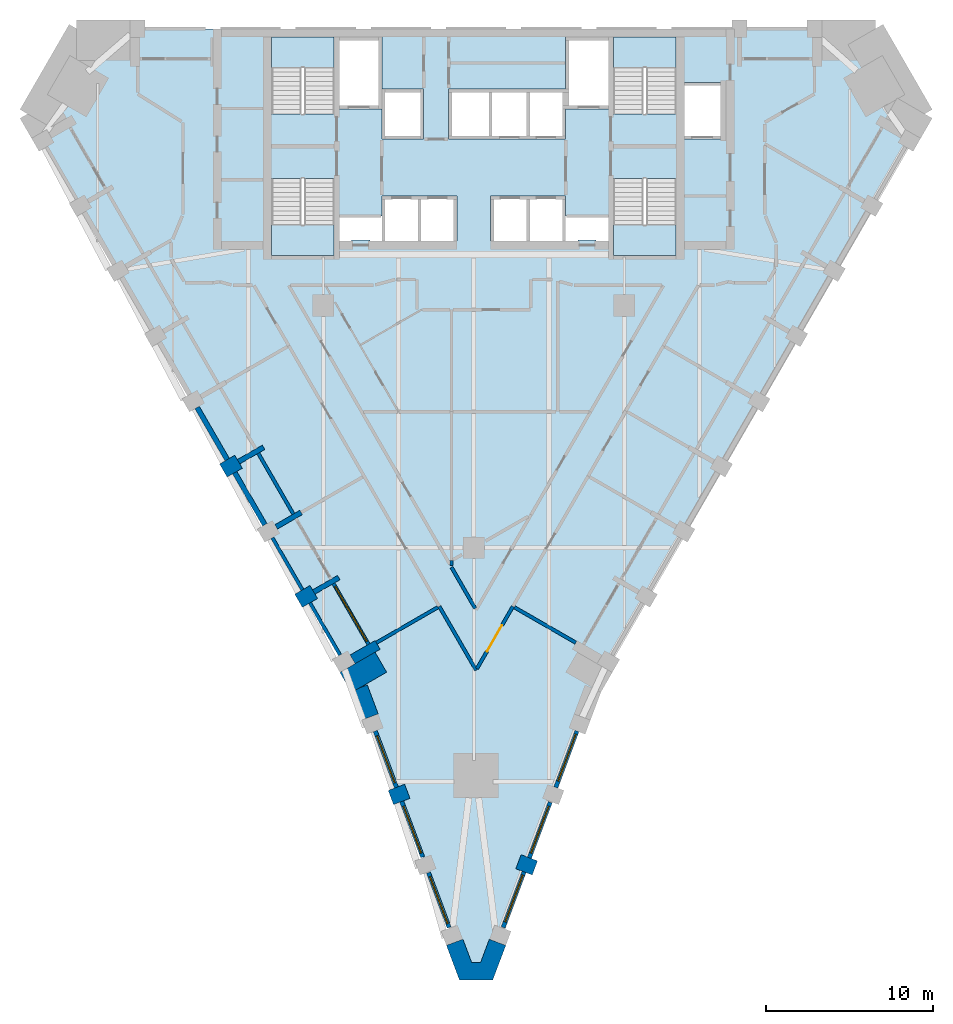
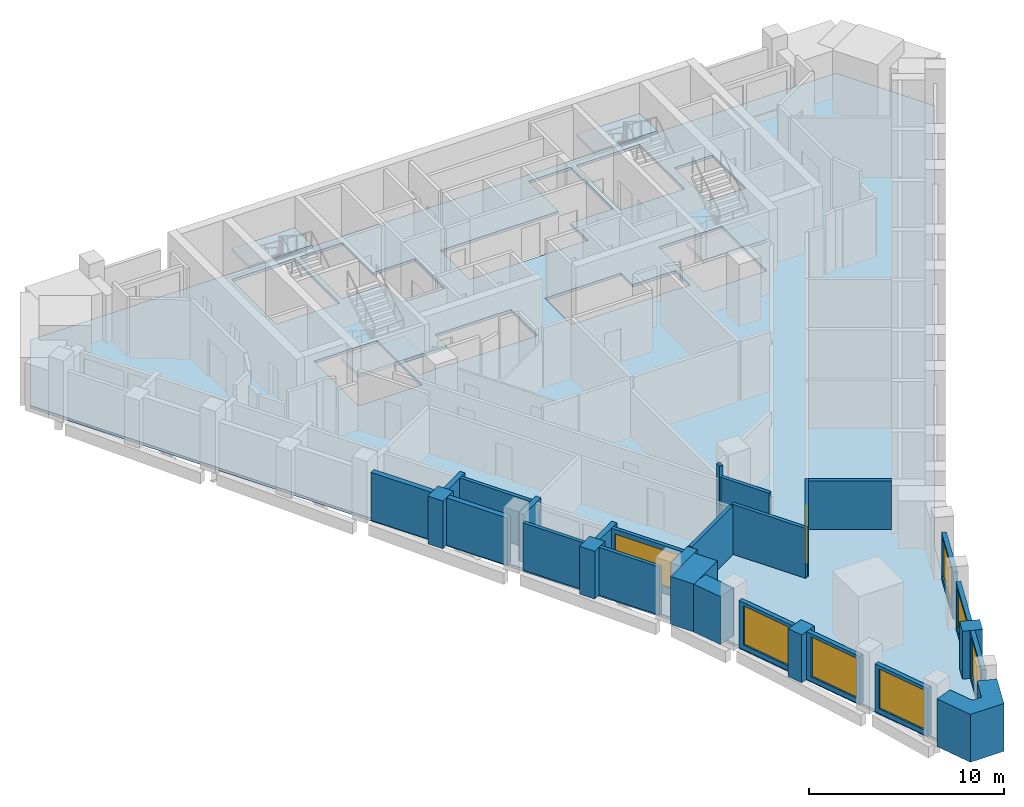
# One storey, part 2 of 9: 29 walls, 7 windows, 5 slabs, 1 door, 8 openings, 4 elements without a shape of their own.
"""IFC4 building model written with IfcOpenShell, lengths in metres."""

from ifc_helpers import new_model, si_unit, direction, frame, frame_2d, origin, place, context, subcontext, project, spatial, polyline, rectangle, outline, extrude, material, layer, layer_set, type_object, element, fill, aggregate, save


model = new_model("IFC4")

# Units and contexts
model_context = context("Model", 3, precision=1e-05, world=origin(), true_north=direction((0.0, 1.0)))
body_context = subcontext(model_context, "Body", "Model", "MODEL_VIEW")
ifc_project = project(units=[si_unit("LENGTHUNIT", "METRE"), si_unit("AREAUNIT", "SQUARE_METRE"), si_unit("VOLUMEUNIT", "CUBIC_METRE"), si_unit("PLANEANGLEUNIT", "RADIAN"), si_unit("MASSUNIT", "GRAM", prefix="KILO")], contexts=[model_context])

# Site, building, storey
site_placement = place(None, origin())
site = spatial("IfcSite", under=ifc_project, at=site_placement, CompositionType="ELEMENT")
building_placement = place(site_placement, origin())
building = spatial("IfcBuilding", under=site, at=building_placement, Name="Calabash Gate Tower", CompositionType="ELEMENT")
storey_placement = place(building_placement, frame((0.0, 0.0, 156.300048828125)))
storey = spatial("IfcBuildingStorey", under=building, at=storey_placement, Name="L36", CompositionType="ELEMENT", Elevation=156.300048828125)

# Slab
ifc_material_1 = material(Name="Concrete C40/50", Category="concrete")
ifc_layer_1 = layer(ifc_material_1, 0.169921875)
ifc_layer_set_1 = layer_set([ifc_layer_1], Name="Composite floor slab 170 Concrete C40/50")
slab_type_1 = type_object("IfcSlabType", Name="Composite floor slab 170 Concrete C40/50", PredefinedType="FLOOR", material=ifc_layer_set_1)
slab_1_placement = place(storey_placement, frame((0.0, 0.0, -0.170166015625)))
element("IfcSlab", 1, at=slab_1_placement, inside=storey, type_object=slab_type_1, Name="Floor slab L36", PredefinedType="FLOOR", context=body_context, shape_type="SweptSolid", body=[
    extrude(outline(polyline([(-23.755615234375, 19.052490234375), (24.030517578125, 19.052490234375), (26.970947265625, 13.95947265625), (7.137451171875, -20.393310546875), (0.770751953125, -37.33251953125), (-0.495849609375, -37.33251953125), (-6.862548828125, -20.393310546875), (-26.696044921875, 13.95947265625), (-23.755615234375, 19.052490234375)]), holes=[polyline([(-3.25, 9.052490234375), (-5.5, 9.052490234375), (-5.5, 7.8525390625), (-8.050048828125, 7.8525390625), (-8.050048828125, 6.3525390625), (-7.324951171875, 6.3525390625), (-7.324951171875, 6.402587890625), (-6.22509765625, 6.402587890625), (-6.22509765625, 6.3525390625), (-5.5, 6.3525390625), (-3.25, 6.3525390625), (-1.0, 6.3525390625), (-1.0, 9.052490234375), (-3.25, 9.052490234375)]), polyline([(5.5, 6.3525390625), (6.22509765625, 6.3525390625), (6.22509765625, 6.402587890625), (7.324951171875, 6.402587890625), (7.324951171875, 6.3525390625), (8.050048828125, 6.3525390625), (8.050048828125, 7.8525390625), (5.5, 7.8525390625), (5.5, 9.052490234375), (3.25, 9.052490234375), (1.0, 9.052490234375), (1.0, 6.3525390625), (3.25, 6.3525390625), (5.5, 6.3525390625)]), polyline([(-5.5, 12.45263671875), (-3.0, 12.45263671875), (-3.0, 15.45263671875), (-5.5, 15.45263671875), (-5.5, 18.552490234375), (-8.050048828125, 18.552490234375), (-8.050048828125, 14.252685546875), (-5.5, 14.252685546875), (-5.5, 12.45263671875)]), polyline([(-1.5, 15.45263671875), (-1.5, 12.45263671875), (1.0, 12.45263671875), (3.25, 12.45263671875), (5.5, 12.45263671875), (5.5, 14.252685546875), (8.050048828125, 14.252685546875), (8.050048828125, 18.552490234375), (5.5, 18.552490234375), (5.5, 15.45263671875), (3.25, 15.45263671875), (1.0, 15.45263671875), (-1.5, 15.45263671875)]), polyline([(14.85009765625, 15.8525390625), (12.60009765625, 15.8525390625), (12.60009765625, 12.45263671875), (14.85009765625, 12.45263671875), (14.85009765625, 15.8525390625)]), polyline([(-8.35009765625, 18.552490234375), (-12.10009765625, 18.552490234375), (-12.10009765625, 13.95263671875), (-8.35009765625, 13.95263671875), (-8.35009765625, 18.552490234375)]), polyline([(-12.10009765625, 10.1025390625), (-12.10009765625, 5.502685546875), (-8.35009765625, 5.502685546875), (-8.35009765625, 10.1025390625), (-12.10009765625, 10.1025390625)]), polyline([(8.35009765625, 13.95263671875), (12.10009765625, 13.95263671875), (12.10009765625, 18.552490234375), (8.35009765625, 18.552490234375), (8.35009765625, 13.95263671875)]), polyline([(12.10009765625, 5.502685546875), (12.10009765625, 10.1025390625), (8.35009765625, 10.1025390625), (8.35009765625, 5.502685546875), (12.10009765625, 5.502685546875)])]), origin(), (0.0, 0.0, 1.0), 0.170166015625),
])

# Stair, slab
ifc_material_2 = material(Name="Concrete C40/50", Category="concrete")
stair_type = type_object("IfcStairType", Name="Exit stair 22 risers of 177.3 mm", PredefinedType="HALF_TURN_STAIR", material=ifc_material_2)
stair_1_placement = place(storey_placement, origin())
stair_1 = element("IfcStair", 2, at=stair_1_placement, inside=storey, type_object=stair_type, Name="L36 Exit stair ST1", PredefinedType="HALF_TURN_STAIR")
ifc_material_3 = material(Name="Concrete C40/50", Category="concrete")
ifc_layer_2 = layer(ifc_material_3, 0.199951171875)
ifc_layer_set_2 = layer_set([ifc_layer_2], Name="Stair landing SL200")
slab_type_2 = type_object("IfcSlabType", Name="Stair landing SL200", PredefinedType="LANDING", material=ifc_layer_set_2)
slab_2_placement = place(storey_placement, frame((0.0, 0.0, 1.75)))
slab_2 = element("IfcSlab", 3, at=slab_2_placement, type_object=slab_type_2, Name="ST1 landing 1", PredefinedType="LANDING", context=body_context, shape_type="SweptSolid", body=[
    extrude(outline(polyline([(-8.35009765625, 16.74267578125), (-8.35009765625, 18.552490234375), (-12.10009765625, 18.552490234375), (-12.10009765625, 16.74267578125), (-8.35009765625, 16.74267578125)])), origin(), (0.0, 0.0, 1.0), 0.199951171875),
])
aggregate(stair_1, [slab_2])

stair_2_placement = place(storey_placement, origin())
stair_2 = element("IfcStair", 4, at=stair_2_placement, inside=storey, type_object=stair_type, Name="L36 Exit stair ST2", PredefinedType="HALF_TURN_STAIR")
slab_3_placement = place(storey_placement, frame((0.0, 0.0, 1.75)))
slab_3 = element("IfcSlab", 5, at=slab_3_placement, type_object=slab_type_2, Name="ST2 landing 1", PredefinedType="LANDING", context=body_context, shape_type="SweptSolid", body=[
    extrude(outline(polyline([(-12.10009765625, 7.3125), (-12.10009765625, 5.502685546875), (-8.35009765625, 5.502685546875), (-8.35009765625, 7.3125), (-12.10009765625, 7.3125)])), origin(), (0.0, 0.0, 1.0), 0.199951171875),
])
aggregate(stair_2, [slab_3])

stair_3_placement = place(storey_placement, origin())
stair_3 = element("IfcStair", 6, at=stair_3_placement, inside=storey, type_object=stair_type, Name="L36 Exit stair ST3", PredefinedType="HALF_TURN_STAIR")
slab_4_placement = place(storey_placement, frame((0.0, 0.0, 1.75)))
slab_4 = element("IfcSlab", 7, at=slab_4_placement, type_object=slab_type_2, Name="ST3 landing 1", PredefinedType="LANDING", context=body_context, shape_type="SweptSolid", body=[
    extrude(outline(polyline([(12.10009765625, 16.74267578125), (12.10009765625, 18.552490234375), (8.35009765625, 18.552490234375), (8.35009765625, 16.74267578125), (12.10009765625, 16.74267578125)])), origin(), (0.0, 0.0, 1.0), 0.199951171875),
])
aggregate(stair_3, [slab_4])

stair_4_placement = place(storey_placement, origin())
stair_4 = element("IfcStair", 8, at=stair_4_placement, inside=storey, type_object=stair_type, Name="L36 Exit stair ST4", PredefinedType="HALF_TURN_STAIR")
slab_5_placement = place(storey_placement, frame((0.0, 0.0, 1.75)))
slab_5 = element("IfcSlab", 9, at=slab_5_placement, type_object=slab_type_2, Name="ST4 landing 1", PredefinedType="LANDING", context=body_context, shape_type="SweptSolid", body=[
    extrude(outline(polyline([(8.35009765625, 7.3125), (8.35009765625, 5.502685546875), (12.10009765625, 5.502685546875), (12.10009765625, 7.3125), (8.35009765625, 7.3125)])), origin(), (0.0, 0.0, 1.0), 0.199951171875),
])
aggregate(stair_4, [slab_5])

# Walls
ifc_material_4 = material(Name="Terracotta brick masonry, exposed face", Category="masonry")
ifc_layer_3 = layer(ifc_material_4, 2.425048828125)
ifc_layer_set_3 = layer_set([ifc_layer_3], Name="Brick corner mass wall 2425")
wall_type_1 = type_object("IfcWallType", Name="Brick corner mass wall 2425", PredefinedType="SOLIDWALL", material=ifc_layer_set_3)
wall_1_placement = place(storey_placement, frame((-5.56298828125, -18.843994140625, 0.0), z_axis=(0.0, 0.0, 1.0), x_axis=(-0.865997808697, -0.500047793048, 0.0)))
element("IfcWall", 10, at=wall_1_placement, inside=storey, type_object=wall_type_1, Name="Brick corner pier S10 1", PredefinedType="SOLIDWALL", context=body_context, shape_type="SweptSolid", body=[
    extrude(rectangle(XDim=2.425048828125, YDim=1.383544921875, at=frame_2d((1.21240234375, 0.0))), origin(), (0.0, 0.0, 1.0), 3.0),
])
ifc_material_5 = material(Name="Terracotta brick masonry, exposed face", Category="masonry")
ifc_layer_4 = layer(ifc_material_5, 1.050048828125)
ifc_layer_set_4 = layer_set([ifc_layer_4], Name="Brick end wall 1050")
wall_type_2 = type_object("IfcWallType", Name="Brick end wall 1050", PredefinedType="SOLIDWALL", material=ifc_layer_set_4)
for number, where, z_axis, x_axis, name in (
    (11, (-14.98388671875, -7.37646484375, 0.0), (0.0, 0.0, 1.0), (0.866030680601, 0.499990860175, 0.0), "Brick pier S10 SW0.5"),
    (12, (-10.48388671875, -15.170654296875, 0.0), (0.0, 0.0, 1.0), (0.866030680601, 0.499990860175, 0.0), "Brick pier S10 SW0.7"),
):
    element("IfcWall", number, at=place(storey_placement, frame(where, z_axis=z_axis, x_axis=x_axis)), inside=storey, type_object=wall_type_2, Name=name, PredefinedType="SOLIDWALL", context=body_context, shape_type="SweptSolid", body=[
        extrude(rectangle(XDim=1.0498046875, YDim=0.89990234375, at=frame_2d((0.52490234375, 0.0))), origin(), (0.0, 0.0, 1.0), 3.0),
    ])
for number, where, z_axis, x_axis, name in (
    (13, (-3.979248046875, -26.572021484375, 0.0), (0.0, 0.0, 1.0), (-0.936080509118, -0.351785844584, 0.0), "Brick pier S10 wedge1.1"),
    (14, (3.654052734375, -31.15380859375, 0.0), (0.0, 0.0, 1.0), (-0.936080509118, 0.351785844584, 0.0), "Brick pier S10 wedge3.1"),
):
    element("IfcWall", number, at=place(storey_placement, frame(where, z_axis=z_axis, x_axis=x_axis)), inside=storey, type_object=wall_type_2, Name=name, PredefinedType="SOLIDWALL", context=body_context, shape_type="SweptSolid", body=[
        extrude(rectangle(XDim=1.050048828125, YDim=0.89990234375, at=frame_2d((0.52490234375, 0.0))), origin(), (0.0, 0.0, 1.0), 3.0),
    ])
wall_2_placement = place(storey_placement, origin())
element("IfcWall", 15, at=wall_2_placement, inside=storey, type_object=wall_type_2, Name="Brick end wall S10 1", PredefinedType="SOLIDWALL", context=body_context, shape_type="SweptSolid", body=[
    extrude(outline(polyline([(-5.720947265625, -21.938232421875), (-6.37109375, -20.20849609375), (-6.862548828125, -20.393310546875), (-7.317138671875, -20.65576171875), (-7.3388671875, -20.618408203125), (-6.70361328125, -22.307861328125), (-6.70361328125, -22.307861328125), (-6.703857421875, -22.307373046875), (-5.720947265625, -21.938232421875)])), origin(), (0.0, 0.0, 1.0), 3.0),
])
wall_3_placement = place(storey_placement, origin())
element("IfcWall", 16, at=wall_3_placement, inside=storey, type_object=wall_type_2, Name="Brick end wall S10 2", PredefinedType="SOLIDWALL", context=body_context, shape_type="SweptSolid", body=[
    extrude(outline(polyline([(-0.13232421875, -36.8076171875), (-0.654541015625, -35.41796875), (-1.637451171875, -35.787353515625), (-0.859375, -37.857666015625), (1.13427734375, -37.857666015625), (1.912353515625, -35.787353515625), (0.929443359375, -35.41796875), (0.4072265625, -36.8076171875), (-0.13232421875, -36.8076171875)])), origin(), (0.0, 0.0, 1.0), 3.0),
])
ifc_material_6 = material(Name="Terracotta brick masonry, exposed face", Category="masonry")
ifc_layer_5 = layer(ifc_material_6, 0.300048828125)
ifc_layer_set_5 = layer_set([ifc_layer_5], Name="Brick infill panel wall 300")
wall_type_3 = type_object("IfcWallType", Name="Brick infill panel wall 300", PredefinedType="SOLIDWALL", material=ifc_layer_set_5)
wall_4_placement = place(storey_placement, frame((-16.55419921875, -3.6064453125, 0.0), z_axis=(0.0, 0.0, 1.0), x_axis=(0.499931829785, -0.866064758299, 0.0)))
element("IfcWall", 17, at=wall_4_placement, inside=storey, type_object=wall_type_3, Name="Brick panel S10 SW0.5", PredefinedType="SOLIDWALL", context=body_context, shape_type="SweptSolid", body=[
    extrude(rectangle(XDim=3.60009765625, YDim=0.300048828125, at=frame_2d((1.800048828125, 0.0))), origin(), (0.0, 0.0, 1.0), 3.0),
])
wall_5_placement = place(storey_placement, frame((-14.30419921875, -7.503662109375, 0.0), z_axis=(0.0, 0.0, 1.0), x_axis=(0.499961193289, -0.866047807691, 0.0)))
element("IfcWall", 18, at=wall_5_placement, inside=storey, type_object=wall_type_3, Name="Brick panel S10 SW0.6", PredefinedType="SOLIDWALL", context=body_context, shape_type="SweptSolid", body=[
    extrude(rectangle(XDim=3.599853515625, YDim=0.300048828125, at=frame_2d((1.7998046875, 0.0))), origin(), (0.0, 0.0, 1.0), 2.973388671875),
])
ifc_material_7 = material(Name="Terracotta brick masonry, exposed face", Category="masonry")
ifc_layer_6 = layer(ifc_material_7, 0.300048828125)
ifc_layer_set_6 = layer_set([ifc_layer_6], Name="Brick loggia cheek wall 300")
wall_type_4 = type_object("IfcWallType", Name="Brick loggia cheek wall 300", PredefinedType="SOLIDWALL", material=ifc_layer_set_6)
wall_6_placement = place(storey_placement, frame((-14.07470703125, -6.8515625, 0.0), z_axis=(0.0, 0.0, 1.0), x_axis=(0.866013532718, 0.500020560727, 0.0)))
element("IfcWall", 19, at=wall_6_placement, inside=storey, type_object=wall_type_4, Name="Loggia cheek S10 SW0.5", PredefinedType="SOLIDWALL", context=body_context, shape_type="SweptSolid", body=[
    extrude(rectangle(XDim=1.72509765625, YDim=0.300048828125, at=frame_2d((0.862548828125, 0.0))), origin(), (0.0, 0.0, 1.0), 2.973388671875),
])
wall_7_placement = place(storey_placement, frame((-10.330810546875, -9.885986328125, 0.0), z_axis=(0.0, 0.0, 1.0), x_axis=(-0.86597814115, -0.500081852351, 0.0)))
element("IfcWall", 20, at=wall_7_placement, inside=storey, type_object=wall_type_4, Name="Loggia cheek S10 SW0.6", PredefinedType="SOLIDWALL", context=body_context, shape_type="SweptSolid", body=[
    extrude(rectangle(XDim=1.724853515625, YDim=0.300048828125, at=frame_2d((0.8623046875, 0.0))), origin(), (0.0, 0.0, 1.0), 3.0),
])
wall_8_placement = place(storey_placement, frame((-9.57470703125, -14.645751953125, 0.0), z_axis=(0.0, 0.0, 1.0), x_axis=(0.866013532718, 0.500020560727, 0.0)))
element("IfcWall", 21, at=wall_8_placement, inside=storey, type_object=wall_type_4, Name="Loggia cheek S10 SW0.7", PredefinedType="SOLIDWALL", context=body_context, shape_type="SweptSolid", body=[
    extrude(rectangle(XDim=1.72509765625, YDim=0.300048828125, at=frame_2d((0.862548828125, 0.0))), origin(), (0.0, 0.0, 1.0), 3.0),
])
wall_9_placement = place(storey_placement, frame((-5.755859375, -17.810302734375, 0.0), z_axis=(0.0, 0.0, 1.0), x_axis=(-0.866074815912, -0.499914405916, 0.0)))
element("IfcWall", 22, at=wall_9_placement, inside=storey, type_object=wall_type_4, Name="Loggia cheek S10 SW0.8", PredefinedType="SOLIDWALL", context=body_context, shape_type="SweptSolid", body=[
    extrude(rectangle(XDim=1.724853515625, YDim=0.60009765625, at=frame_2d((0.8623046875, 0.0))), origin(), (0.0, 0.0, 1.0), 3.0),
])
ifc_material_8 = material(Name="Gypsum board on steel studs, mineral wool", Category="steel")
ifc_layer_7 = layer(ifc_material_8, 0.199951171875)
ifc_layer_set_7 = layer_set([ifc_layer_7], Name="Partition 200 gypsum board EI 60")
wall_type_5 = type_object("IfcWallType", Name="Partition 200 gypsum board EI 60", PredefinedType="PARTITIONING", material=ifc_layer_set_7)
wall_10_placement = place(storey_placement, frame((-2.06494140625, -15.506591796875, 0.0), z_axis=(0.0, 0.0, 1.0), x_axis=(0.500349665943, -0.865823429916, 0.0)))
element("IfcWall", 23, at=wall_10_placement, inside=storey, type_object=wall_type_5, Name="Partition", PredefinedType="PARTITIONING", context=body_context, shape_type="SweptSolid", body=[
    extrude(rectangle(XDim=4.402099609375, YDim=0.199951171875, at=frame_2d((2.201171875, 0.0))), origin(), (0.0, 0.0, 1.0), 3.1279296875),
])
for number, where, z_axis, x_axis, name in (
    (24, (2.424560546875, -15.557373046875, 0.0), (0.0, 0.0, 1.0), (0.866217148336, -0.499667741532, 0.0), "Partition"),
    (25, (-5.83056640625, -17.6806640625, 0.0), (0.0, 0.0, 1.0), (0.866217148336, 0.499667741532, 0.0), "Partition"),
):
    element("IfcWall", number, at=place(storey_placement, frame(where, z_axis=z_axis, x_axis=x_axis)), inside=storey, type_object=wall_type_5, Name=name, PredefinedType="PARTITIONING", context=body_context, shape_type="SweptSolid", body=[
        extrude(rectangle(XDim=4.24951171875, YDim=0.199951171875, at=frame_2d((2.124755859375, 0.0))), origin(), (0.0, 0.0, 1.0), 3.0517578125),
    ])

# Wall, opening, door
wall_11_placement = place(storey_placement, frame((0.187744140625, -19.2314453125, 0.0), z_axis=(0.0, 0.0, 1.0), x_axis=(0.500313526201, 0.865844313662, 0.0)))
wall_11 = element("IfcWall", 26, at=wall_11_placement, inside=storey, type_object=wall_type_5, Name="Partition", PredefinedType="PARTITIONING", context=body_context, shape_type="SweptSolid", body=[
    extrude(rectangle(XDim=4.302001953125, YDim=0.199951171875, at=frame_2d((2.15087890625, 0.0))), origin(), (0.0, 0.0, 1.0), 3.1279296875),
])
opening_1_placement = place(wall_11_placement, frame((1.200927734375, 0.0, 0.0)))
opening_1 = element("IfcOpeningElement", 27, at=opening_1_placement, cuts=wall_11, Name="Opening 36-38-015", PredefinedType="OPENING", context=body_context, shape_type="SweptSolid", body=[
    extrude(rectangle(XDim=1.800048828125, YDim=2.39990234375, at=frame_2d((0.89990234375, 1.199951171875))), frame((0.0, 0.10986328125, 0.0), z_axis=(0.0, -1.0, 0.0), x_axis=(1.0, 0.0, 0.0)), (0.0, 0.0, 1.0), 0.219970703125),
])
ifc_material_9 = material(Name="Steel fire door set with fire-resisting glazing", Category="steel")
door_type = type_object("IfcDoorType", Name="OD5 Open office double door 1800x2400", OperationType="NOTDEFINED", PredefinedType="DOOR", material=ifc_material_9)
door_placement = place(opening_1_placement, origin())
door = element("IfcDoor", 28, at=door_placement, inside=storey, type_object=door_type, Name="Open office double door", OperationType="DOUBLE_DOOR_SINGLE_SWING", OverallHeight=2.39990234375, OverallWidth=1.800048828125, PredefinedType="DOOR", context=body_context, shape_type="SweptSolid", body=[
    extrude(rectangle(XDim=1.800048828125, YDim=2.39990234375, at=frame_2d((0.89990234375, 1.199951171875))), frame((0.0, 0.02490234375, 0.0), z_axis=(0.0, -1.0, 0.0), x_axis=(1.0, 0.0, 0.0)), (0.0, 0.0, 1.0), 0.050048828125),
])
fill(opening_1, door)

# Walls
wall_12_placement = place(storey_placement, frame((-1.33349609375, -13.16943359375, 0.0), z_axis=(0.0, 0.0, 1.0), x_axis=(0.499982728352, -0.866035375346, 0.0)))
element("IfcWall", 29, at=wall_12_placement, inside=storey, type_object=wall_type_5, Name="Partition", PredefinedType="PARTITIONING", context=body_context, shape_type="SweptSolid", body=[
    extrude(rectangle(XDim=2.841796875, YDim=0.199951171875, at=frame_2d((1.4208984375, 0.0))), origin(), (0.0, 0.0, 1.0), 3.1279296875),
])
wall_13_placement = place(storey_placement, frame((-1.3330078125, -13.069580078125, 0.0), z_axis=(0.0, 0.0, 1.0), x_axis=(0.004870072116, 0.999988141128, 0.0)))
element("IfcWall", 30, at=wall_13_placement, inside=storey, type_object=wall_type_5, Name="Partition", PredefinedType="PARTITIONING", context=body_context, shape_type="SweptSolid", body=[
    extrude(rectangle(XDim=0.30078125, YDim=0.199951171875, at=frame_2d((0.150390625, 0.0))), origin(), (0.0, 0.0, 1.0), 3.72998046875),
])

# Wall, opening, window
ifc_material_10 = material(Name="Aluminium framed window wall with insulated spandrel", Category="aluminium")
ifc_layer_8 = layer(ifc_material_10, 0.25)
ifc_layer_set_8 = layer_set([ifc_layer_8], Name="Prow window wall 250")
wall_type_6 = type_object("IfcWallType", Name="Prow window wall 250", PredefinedType="ELEMENTEDWALL", material=ifc_layer_set_8)
wall_14_placement = place(storey_placement, frame((-5.895751953125, -22.9658203125, 0.0), z_axis=(0.0, 0.0, 1.0), x_axis=(0.351851706772, -0.936055754986, 0.0)))
wall_14 = element("IfcWall", 31, at=wall_14_placement, inside=storey, type_object=wall_type_6, Name="Prow window wall S10 wedge1.1", PredefinedType="ELEMENTEDWALL", context=body_context, shape_type="SweptSolid", body=[
    extrude(rectangle(XDim=3.599853515625, YDim=0.25, at=frame_2d((1.7998046875, 0.0))), origin(), (0.0, 0.0, 1.0), 2.949951171875),
])
opening_2_placement = place(wall_14_placement, frame((0.300048828125, 0.0, 0.300048828125)))
opening_2 = element("IfcOpeningElement", 32, at=opening_2_placement, cuts=wall_14, Name="Opening WP2L-2450", PredefinedType="OPENING", context=body_context, shape_type="SweptSolid", body=[
    extrude(rectangle(XDim=3.0, YDim=2.449951171875, at=frame_2d((1.5, 1.22509765625))), frame((0.0, 0.135009765625, 0.0), z_axis=(0.0, -1.0, 0.0), x_axis=(1.0, 0.0, 0.0)), (0.0, 0.0, 1.0), 0.27001953125),
])
ifc_material_11 = material(Name="Anodised aluminium frame, bronze finish, impact-rated laminated clear glazing", Category="aluminium")
window_type_1 = type_object("IfcWindowType", Name="Window WP2L 3000x2450", PartitioningType="DOUBLE_PANEL_VERTICAL", PredefinedType="WINDOW", material=ifc_material_11)
window_1_placement = place(opening_2_placement, origin())
window_1 = element("IfcWindow", 33, at=window_1_placement, inside=storey, type_object=window_type_1, Name="Prow window WP2L S10 wedge1.1", OverallHeight=2.449951171875, OverallWidth=3.0, PartitioningType="SINGLE_PANEL", PredefinedType="WINDOW", context=body_context, shape_type="SweptSolid", body=[
    extrude(rectangle(XDim=3.0, YDim=2.449951171875, at=frame_2d((1.5, 1.22509765625))), frame((0.0, 0.030029296875, 0.0), z_axis=(0.0, -1.0, 0.0), x_axis=(1.0, 0.0, 0.0)), (0.0, 0.0, 1.0), 0.06005859375),
])
fill(opening_2, window_1)

wall_15_placement = place(storey_placement, frame((-4.313232421875, -27.176025390625, 0.0), z_axis=(0.0, 0.0, 1.0), x_axis=(0.351838904667, -0.936060567037, 0.0)))
wall_15 = element("IfcWall", 34, at=wall_15_placement, inside=storey, type_object=wall_type_6, Name="Prow window wall S10 wedge1.2", PredefinedType="ELEMENTEDWALL", context=body_context, shape_type="SweptSolid", body=[
    extrude(rectangle(XDim=3.552001953125, YDim=0.25, at=frame_2d((1.77587890625, 0.0))), origin(), (0.0, 0.0, 1.0), 3.0),
])
opening_3_placement = place(wall_15_placement, frame((0.302001953125, 0.0, 0.300048828125)))
opening_3 = element("IfcOpeningElement", 35, at=opening_3_placement, cuts=wall_15, Name="Opening WP2", PredefinedType="OPENING", context=body_context, shape_type="SweptSolid", body=[
    extrude(rectangle(XDim=3.0, YDim=2.5, at=frame_2d((1.5, 1.25))), frame((0.0, 0.135009765625, 0.0), z_axis=(0.0, -1.0, 0.0), x_axis=(1.0, 0.0, 0.0)), (0.0, 0.0, 1.0), 0.27001953125),
])
ifc_material_12 = material(Name="Anodised aluminium frame, bronze finish, impact-rated laminated clear glazing", Category="aluminium")
window_type_2 = type_object("IfcWindowType", Name="Window WP2 3000x2500", PartitioningType="DOUBLE_PANEL_VERTICAL", PredefinedType="WINDOW", material=ifc_material_12)
window_2_placement = place(opening_3_placement, origin())
window_2 = element("IfcWindow", 36, at=window_2_placement, inside=storey, type_object=window_type_2, Name="Prow window WP2 S10 wedge1.2", OverallHeight=2.5, OverallWidth=3.0, PartitioningType="SINGLE_PANEL", PredefinedType="WINDOW", context=body_context, shape_type="SweptSolid", body=[
    extrude(rectangle(XDim=3.0, YDim=2.5, at=frame_2d((1.5, 1.25))), frame((0.0, 0.030029296875, 0.0), z_axis=(0.0, -1.0, 0.0), x_axis=(1.0, 0.0, 0.0)), (0.0, 0.0, 1.0), 0.06005859375),
])
fill(opening_3, window_2)

wall_16_placement = place(storey_placement, frame((-2.711669921875, -31.43701171875, 0.0), z_axis=(0.0, 0.0, 1.0), x_axis=(0.351826590602, -0.936065195457, 0.0)))
wall_16 = element("IfcWall", 37, at=wall_16_placement, inside=storey, type_object=wall_type_6, Name="Prow window wall S10 wedge1.3", PredefinedType="ELEMENTEDWALL", context=body_context, shape_type="SweptSolid", body=[
    extrude(rectangle(XDim=3.500244140625, YDim=0.25, at=frame_2d((1.75, 0.0))), origin(), (0.0, 0.0, 1.0), 3.0),
])
opening_4_placement = place(wall_16_placement, frame((0.25, 0.0, 0.300048828125)))
opening_4 = element("IfcOpeningElement", 38, at=opening_4_placement, cuts=wall_16, Name="Opening WP2", PredefinedType="OPENING", context=body_context, shape_type="SweptSolid", body=[
    extrude(rectangle(XDim=3.0, YDim=2.5, at=frame_2d((1.5, 1.25))), frame((0.0, 0.135009765625, 0.0), z_axis=(0.0, -1.0, 0.0), x_axis=(1.0, 0.0, 0.0)), (0.0, 0.0, 1.0), 0.27001953125),
])
window_3_placement = place(opening_4_placement, origin())
window_3 = element("IfcWindow", 39, at=window_3_placement, inside=storey, type_object=window_type_2, Name="Prow window WP2 S10 wedge1.3", OverallHeight=2.5, OverallWidth=3.0, PartitioningType="SINGLE_PANEL", PredefinedType="WINDOW", context=body_context, shape_type="SweptSolid", body=[
    extrude(rectangle(XDim=3.0, YDim=2.5, at=frame_2d((1.5, 1.25))), frame((0.0, 0.030029296875, 0.0), z_axis=(0.0, -1.0, 0.0), x_axis=(1.0, 0.0, 0.0)), (0.0, 0.0, 1.0), 0.06005859375),
])
fill(opening_4, window_3)

wall_17_placement = place(storey_placement, frame((1.755126953125, -34.71337890625, 0.0), z_axis=(0.0, 0.0, 1.0), x_axis=(0.351838904667, 0.936060567037, 0.0)))
wall_17 = element("IfcWall", 40, at=wall_17_placement, inside=storey, type_object=wall_type_6, Name="Prow window wall S10 wedge3.1", PredefinedType="ELEMENTEDWALL", context=body_context, shape_type="SweptSolid", body=[
    extrude(rectangle(XDim=3.552001953125, YDim=0.25, at=frame_2d((1.77587890625, 0.0))), origin(), (0.0, 0.0, 1.0), 3.0),
])
opening_5_placement = place(wall_17_placement, frame((0.35009765625, 0.0, 0.300048828125)))
opening_5 = element("IfcOpeningElement", 41, at=opening_5_placement, cuts=wall_17, Name="Opening WP2", PredefinedType="OPENING", context=body_context, shape_type="SweptSolid", body=[
    extrude(rectangle(XDim=3.0, YDim=2.5, at=frame_2d((1.5, 1.25))), frame((0.0, 0.135009765625, 0.0), z_axis=(0.0, -1.0, 0.0), x_axis=(1.0, 0.0, 0.0)), (0.0, 0.0, 1.0), 0.27001953125),
])
window_4_placement = place(opening_5_placement, origin())
window_4 = element("IfcWindow", 42, at=window_4_placement, inside=storey, type_object=window_type_2, Name="Prow window WP2 S10 wedge3.1", OverallHeight=2.5, OverallWidth=3.0, PartitioningType="SINGLE_PANEL", PredefinedType="WINDOW", context=body_context, shape_type="SweptSolid", body=[
    extrude(rectangle(XDim=3.0, YDim=2.5, at=frame_2d((1.5, 1.25))), frame((0.0, 0.030029296875, 0.0), z_axis=(0.0, -1.0, 0.0), x_axis=(1.0, 0.0, 0.0)), (0.0, 0.0, 1.0), 0.06005859375),
])
fill(opening_5, window_4)

wall_18_placement = place(storey_placement, frame((3.320068359375, -30.5498046875, 0.0), z_axis=(0.0, 0.0, 1.0), x_axis=(0.351838904667, 0.936060567037, 0.0)))
wall_18 = element("IfcWall", 43, at=wall_18_placement, inside=storey, type_object=wall_type_6, Name="Prow window wall S10 wedge3.2", PredefinedType="ELEMENTEDWALL", context=body_context, shape_type="SweptSolid", body=[
    extrude(rectangle(XDim=3.552001953125, YDim=0.25, at=frame_2d((1.77587890625, 0.0))), origin(), (0.0, 0.0, 1.0), 3.0),
])
opening_6_placement = place(wall_18_placement, frame((0.302001953125, 0.0, 0.300048828125)))
opening_6 = element("IfcOpeningElement", 44, at=opening_6_placement, cuts=wall_18, Name="Opening WP2", PredefinedType="OPENING", context=body_context, shape_type="SweptSolid", body=[
    extrude(rectangle(XDim=3.0, YDim=2.5, at=frame_2d((1.5, 1.25))), frame((0.0, 0.135009765625, 0.0), z_axis=(0.0, -1.0, 0.0), x_axis=(1.0, 0.0, 0.0)), (0.0, 0.0, 1.0), 0.27001953125),
])
window_5_placement = place(opening_6_placement, origin())
window_5 = element("IfcWindow", 45, at=window_5_placement, inside=storey, type_object=window_type_2, Name="Prow window WP2 S10 wedge3.2", OverallHeight=2.5, OverallWidth=3.0, PartitioningType="SINGLE_PANEL", PredefinedType="WINDOW", context=body_context, shape_type="SweptSolid", body=[
    extrude(rectangle(XDim=3.0, YDim=2.5, at=frame_2d((1.5, 1.25))), frame((0.0, 0.030029296875, 0.0), z_axis=(0.0, -1.0, 0.0), x_axis=(1.0, 0.0, 0.0)), (0.0, 0.0, 1.0), 0.06005859375),
])
fill(opening_6, window_5)

wall_19_placement = place(storey_placement, frame((4.904052734375, -26.33544921875, 0.0), z_axis=(0.0, 0.0, 1.0), x_axis=(0.351851706772, 0.936055754986, 0.0)))
wall_19 = element("IfcWall", 46, at=wall_19_placement, inside=storey, type_object=wall_type_6, Name="Prow window wall S10 wedge3.3", PredefinedType="ELEMENTEDWALL", context=body_context, shape_type="SweptSolid", body=[
    extrude(rectangle(XDim=3.599853515625, YDim=0.25, at=frame_2d((1.7998046875, 0.0))), origin(), (0.0, 0.0, 1.0), 2.949951171875),
])
opening_7_placement = place(wall_19_placement, frame((0.39990234375, 0.0, 0.300048828125)))
opening_7 = element("IfcOpeningElement", 47, at=opening_7_placement, cuts=wall_19, Name="Opening WP2L-2450", PredefinedType="OPENING", context=body_context, shape_type="SweptSolid", body=[
    extrude(rectangle(XDim=3.0, YDim=2.449951171875, at=frame_2d((1.5, 1.22509765625))), frame((0.0, 0.135009765625, 0.0), z_axis=(0.0, -1.0, 0.0), x_axis=(1.0, 0.0, 0.0)), (0.0, 0.0, 1.0), 0.27001953125),
])
window_6_placement = place(opening_7_placement, origin())
window_6 = element("IfcWindow", 48, at=window_6_placement, inside=storey, type_object=window_type_1, Name="Prow window WP2L S10 wedge3.3", OverallHeight=2.449951171875, OverallWidth=3.0, PartitioningType="SINGLE_PANEL", PredefinedType="WINDOW", context=body_context, shape_type="SweptSolid", body=[
    extrude(rectangle(XDim=3.0, YDim=2.449951171875, at=frame_2d((1.5, 1.22509765625))), frame((0.0, 0.030029296875, 0.0), z_axis=(0.0, -1.0, 0.0), x_axis=(1.0, 0.0, 0.0)), (0.0, 0.0, 1.0), 0.06005859375),
])
fill(opening_7, window_6)

# Walls
ifc_material_13 = material(Name="Terracotta brick masonry, perforated", Category="masonry")
ifc_layer_9 = layer(ifc_material_13, 0.199951171875)
ifc_layer_set_9 = layer_set([ifc_layer_9], Name="Terracotta jaali screen B")
wall_type_7 = type_object("IfcWallType", Name="Terracotta jaali screen B", PredefinedType="SOLIDWALL", material=ifc_layer_set_9)
wall_20_placement = place(storey_placement, frame((-12.05419921875, -11.40087890625, 0.0), z_axis=(0.0, 0.0, 1.0), x_axis=(0.499961193289, -0.866047807691, 0.0)))
element("IfcWall", 49, at=wall_20_placement, inside=storey, type_object=wall_type_7, Name="SCREEN B S10 SW0.7", PredefinedType="SOLIDWALL", context=body_context, shape_type="SweptSolid", body=[
    extrude(rectangle(XDim=3.599853515625, YDim=0.199951171875, at=frame_2d((1.7998046875, 0.0))), origin(), (0.0, 0.0, 1.0), 2.949951171875),
])
wall_21_placement = place(storey_placement, origin())
element("IfcWall", 50, at=wall_21_placement, inside=storey, type_object=wall_type_7, Name="SCREEN B S10 SW0.8", PredefinedType="SOLIDWALL", context=body_context, shape_type="SweptSolid", body=[
    extrude(outline(polyline([(-9.890869140625, -15.347900390625), (-8.091796875, -18.464111328125), (-7.918701171875, -18.364013671875), (-9.7177734375, -15.247802734375), (-9.890869140625, -15.347900390625)])), origin(), (0.0, 0.0, 1.0), 3.0),
])
ifc_material_14 = material(Name="Aluminium framed window wall with insulated spandrel", Category="aluminium")
ifc_layer_10 = layer(ifc_material_14, 0.199951171875)
ifc_layer_set_10 = layer_set([ifc_layer_10], Name="Window wall 200")
wall_type_8 = type_object("IfcWallType", Name="Window wall 200", PredefinedType="ELEMENTEDWALL", material=ifc_layer_set_10)
wall_22_placement = place(storey_placement, frame((-12.8955078125, -6.34375, 0.0), z_axis=(0.0, 0.0, 1.0), x_axis=(0.500002543286, -0.866023935413, 0.0)))
element("IfcWall", 51, at=wall_22_placement, inside=storey, type_object=wall_type_8, Name="Window wall S10 SW0.6", PredefinedType="ELEMENTEDWALL", context=body_context, shape_type="SweptSolid", body=[
    extrude(rectangle(XDim=4.2001953125, YDim=0.199951171875, at=frame_2d((2.10009765625, 0.0))), origin(), (0.0, 0.0, 1.0), 3.0),
])

# Wall, opening, window
wall_23_placement = place(storey_placement, frame((-8.3955078125, -14.13818359375, 0.0), z_axis=(0.0, 0.0, 1.0), x_axis=(0.500027713859, -0.866009402589, 0.0)))
wall_23 = element("IfcWall", 52, at=wall_23_placement, inside=storey, type_object=wall_type_8, Name="Window wall S10 SW0.8", PredefinedType="ELEMENTEDWALL", context=body_context, shape_type="SweptSolid", body=[
    extrude(rectangle(XDim=4.199951171875, YDim=0.199951171875, at=frame_2d((2.10009765625, 0.0))), origin(), (0.0, 0.0, 1.0), 3.0),
])
opening_8_placement = place(wall_23_placement, frame((0.199951171875, 0.0, 0.449951171875)))
opening_8 = element("IfcOpeningElement", 53, at=opening_8_placement, cuts=wall_23, Name="Opening OW2", PredefinedType="OPENING", context=body_context, shape_type="SweptSolid", body=[
    extrude(rectangle(XDim=3.800048828125, YDim=2.25, at=frame_2d((1.89990234375, 1.125))), frame((0.0, 0.10986328125, 0.0), z_axis=(0.0, -1.0, 0.0), x_axis=(1.0, 0.0, 0.0)), (0.0, 0.0, 1.0), 0.219970703125),
])
ifc_material_15 = material(Name="Anodised aluminium frame, bronze finish, impact-rated laminated clear glazing", Category="aluminium")
window_type_3 = type_object("IfcWindowType", Name="Window OW2 3800x2250", PartitioningType="TRIPLE_PANEL_VERTICAL", PredefinedType="WINDOW", material=ifc_material_15)
window_7_placement = place(opening_8_placement, origin())
window_7 = element("IfcWindow", 54, at=window_7_placement, inside=storey, type_object=window_type_3, Name="Window OW2 S10 SW0.8", OverallHeight=2.25, OverallWidth=3.800048828125, PartitioningType="SINGLE_PANEL", PredefinedType="WINDOW", context=body_context, shape_type="SweptSolid", body=[
    extrude(rectangle(XDim=3.800048828125, YDim=2.25, at=frame_2d((1.89990234375, 1.125))), frame((0.0, 0.030029296875, 0.0), z_axis=(0.0, -1.0, 0.0), x_axis=(1.0, 0.0, 0.0)), (0.0, 0.0, 1.0), 0.06005859375),
])
fill(opening_8, window_7)

save(model, "model.ifc")
